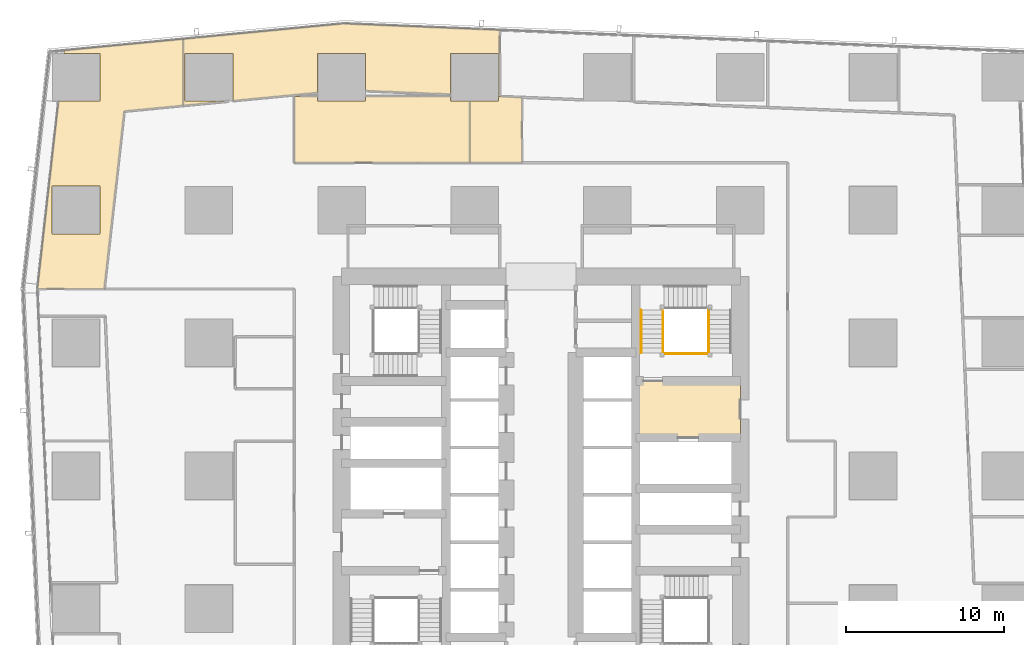
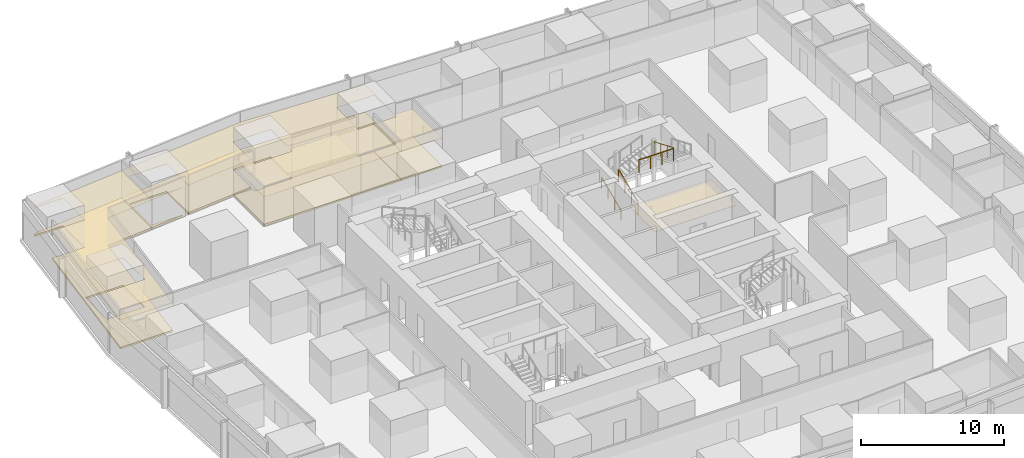
# One storey, part 42 of 44: 9 coverings, 4 railings.
"""IFC4 building model written with IfcOpenShell, lengths in metres."""

from ifc_helpers import new_model, si_unit, direction, frame, origin, origin_2d, place, context, subcontext, project, spatial, polyline, circle, outline, extrude, material, layer, layer_set, type_object, element, save


model = new_model("IFC4")

# Units and contexts
model_context = context("Model", 3, precision=1e-05, world=origin(), true_north=direction((0.0, 1.0)))
body_context = subcontext(model_context, "Body", "Model", "MODEL_VIEW")
ifc_project = project(units=[si_unit("LENGTHUNIT", "METRE"), si_unit("AREAUNIT", "SQUARE_METRE"), si_unit("VOLUMEUNIT", "CUBIC_METRE"), si_unit("PLANEANGLEUNIT", "RADIAN"), si_unit("MASSUNIT", "GRAM", prefix="KILO")], contexts=[model_context])

# Site, building, storey
site_placement = place(None, origin())
site = spatial("IfcSite", under=ifc_project, at=site_placement, CompositionType="ELEMENT")
building_placement = place(site_placement, origin())
building = spatial("IfcBuilding", under=site, at=building_placement, Name="Rekha Terrace Tower", CompositionType="ELEMENT")
storey_placement = place(building_placement, frame((0.0, 0.0, 81.64990234375)))
storey = spatial("IfcBuildingStorey", under=building, at=storey_placement, Name="L20", CompositionType="ELEMENT", Elevation=81.64990234375)

# Coverings
ifc_material_1 = material(Name="Mineral fibre tile in exposed grid", Category="finish")
ifc_layer_1 = layer(ifc_material_1, 0.02001953125)
ifc_layer_set_1 = layer_set([ifc_layer_1], Name="Mineral fibre tile in exposed grid")
covering_type_1 = type_object("IfcCoveringType", Name="CL1 600x1200 office grid ceiling", PredefinedType="CEILING", material=ifc_layer_set_1)
covering_1_placement = place(storey_placement, frame((0.0, 0.0, 2.47998046875)))
element("IfcCovering", 1, at=covering_1_placement, inside=storey, type_object=covering_type_1, Name="Ceiling L20-07", PredefinedType="CEILING", context=body_context, shape_type="SweptSolid", body=[
    extrude(outline(polyline([(25.325927734375, 62.199951171875), (15.177001953125, 61.22412109375), (15.177001953125, 57.0048828125), (17.85205078125, 57.261962890625), (17.85009765625, 57.284912109375), (15.284912109375, 57.284912109375), (15.284912109375, 60.31494140625), (18.31494140625, 60.31494140625), (18.31494140625, 57.306884765625), (23.68505859375, 57.822998046875), (23.68505859375, 60.31494140625), (26.715087890625, 60.31494140625), (26.715087890625, 57.93896484375), (26.906982421875, 57.930908203125), (32.0849609375, 57.717041015625), (32.0849609375, 60.31494140625), (35.114990234375, 60.31494140625), (35.114990234375, 57.592041015625), (35.198974609375, 57.589111328125), (35.198974609375, 61.79296875), (26.909912109375, 62.135009765625), (25.325927734375, 62.199951171875)])), origin(), (0.0, 0.0, 1.0), 0.02001953125),
])
covering_2_placement = place(storey_placement, frame((0.0, 0.0, 2.47998046875)))
element("IfcCovering", 2, at=covering_2_placement, inside=storey, type_object=covering_type_1, Name="Ceiling L20-08", PredefinedType="CEILING", context=body_context, shape_type="SweptSolid", body=[
    extrude(outline(polyline([(9.9150390625, 57.284912109375), (7.294921875, 57.284912109375), (6.701904296875, 52.012939453125), (5.958984375, 45.412109375), (10.18603515625, 45.412109375), (10.927978515625, 52.011962890625), (11.448974609375, 56.64599609375), (15.176025390625, 57.0048828125), (15.176025390625, 61.22412109375), (7.656005859375, 60.5009765625), (7.635009765625, 60.31494140625), (9.9150390625, 60.31494140625), (9.9150390625, 57.284912109375)]), holes=[polyline([(9.9150390625, 51.9150390625), (9.9150390625, 48.885009765625), (6.885009765625, 48.885009765625), (6.885009765625, 51.9150390625), (9.9150390625, 51.9150390625)])]), origin(), (0.0, 0.0, 1.0), 0.02001953125),
])
covering_3_placement = place(storey_placement, frame((0.0, 0.0, 2.47998046875)))
element("IfcCovering", 3, at=covering_3_placement, inside=storey, type_object=covering_type_1, Name="Ceiling L20-09", PredefinedType="CEILING", context=body_context, shape_type="SweptSolid", body=[
    extrude(outline(polyline([(22.199951171875, 53.39990234375), (33.300048828125, 53.39990234375), (33.300048828125, 57.284912109375), (32.0849609375, 57.284912109375), (32.0849609375, 57.589111328125), (26.715087890625, 57.589111328125), (26.715087890625, 57.284912109375), (23.68505859375, 57.284912109375), (23.68505859375, 57.589111328125), (22.199951171875, 57.589111328125), (22.199951171875, 53.39990234375)])), origin(), (0.0, 0.0, 1.0), 0.02001953125),
])
covering_4_placement = place(storey_placement, frame((0.0, 0.0, 2.47998046875)))
element("IfcCovering", 4, at=covering_4_placement, inside=storey, type_object=covering_type_1, Name="Ceiling L20-11", PredefinedType="CEILING", context=body_context, shape_type="SweptSolid", body=[
    extrude(outline(polyline([(36.60009765625, 57.531982421875), (35.208984375, 57.589111328125), (35.114990234375, 57.589111328125), (35.114990234375, 57.284912109375), (33.300048828125, 57.284912109375), (33.300048828125, 53.39990234375), (36.60009765625, 53.39990234375), (36.60009765625, 57.531982421875)])), origin(), (0.0, 0.0, 1.0), 0.02001953125),
])
ifc_material_2 = material(Name="Powder-coated aluminium pan", Category="aluminium")
ifc_layer_2 = layer(ifc_material_2, 0.030029296875)
ifc_layer_set_2 = layer_set([ifc_layer_2], Name="Powder-coated aluminium pan")
covering_type_2 = type_object("IfcCoveringType", Name="CL3 300x1200 metal pan ceiling", PredefinedType="CEILING", material=ifc_layer_set_2)
covering_5_placement = place(storey_placement, frame((0.0, 0.0, 2.47021484375)))
element("IfcCovering", 5, at=covering_5_placement, inside=storey, type_object=covering_type_2, Name="Ceiling L20-FLB2", PredefinedType="CEILING", context=body_context, shape_type="SweptSolid", body=[
    extrude(outline(polyline([(50.39990234375, 39.60009765625), (43.800048828125, 39.60009765625), (43.800048828125, 36.0), (50.39990234375, 36.0), (50.39990234375, 39.60009765625)])), origin(), (0.0, 0.0, 1.0), 0.02978515625),
])

# Railings
ifc_material_3 = material(Name="Stainless steel balustrade", Category="steel")
railing_type_1 = type_object("IfcRailingType", Name="GR1 1100 stair guard", PredefinedType="GUARDRAIL", material=ifc_material_3)
railing_1_placement = place(storey_placement, frame((45.514892578125, 41.375, 0.125)))
element("IfcRailing", 6, at=railing_1_placement, inside=storey, type_object=railing_type_1, Name="Guard ST2 L20 flight 1", PredefinedType="GUARDRAIL", context=body_context, shape_type="SweptSolid", body=[
    extrude(circle(Radius=0.02392578125, at=origin_2d()), frame((0.0, 0.0, 1.076171875), z_axis=(0.0, 0.923074453586, 0.384621311341), x_axis=(-1.0, 0.0, 0.0)), (0.0, 0.0, 1.0), 2.925048828125),
    extrude(circle(Radius=0.02099609375, at=origin_2d()), origin(), (0.0, 0.0, 1.0), 1.052001953125),
    extrude(circle(Radius=0.02099609375, at=origin_2d()), frame((0.0, 0.89990234375, 0.375)), (0.0, 0.0, 1.0), 1.052001953125),
    extrude(circle(Radius=0.02099609375, at=origin_2d()), frame((0.0, 1.800048828125, 0.75)), (0.0, 0.0, 1.0), 1.052001953125),
    extrude(circle(Radius=0.02099609375, at=origin_2d()), frame((0.0, 2.699951171875, 1.125)), (0.0, 0.0, 1.0), 1.052001953125),
])
railing_2_placement = place(storey_placement, frame((48.409912109375, 44.074951171875, 2.625)))
element("IfcRailing", 7, at=railing_2_placement, inside=storey, type_object=railing_type_1, Name="Guard ST2 L20 flight 3", PredefinedType="GUARDRAIL", context=body_context, shape_type="SweptSolid", body=[
    extrude(circle(Radius=0.02392578125, at=origin_2d()), frame((0.0, 0.0, 1.076171875), z_axis=(0.0, -0.923074453586, 0.384621311341), x_axis=(1.0, 0.0, 0.0)), (0.0, 0.0, 1.0), 2.925048828125),
    extrude(circle(Radius=0.02099609375, at=origin_2d()), origin(), (0.0, 0.0, 1.0), 1.052001953125),
    extrude(circle(Radius=0.02099609375, at=origin_2d()), frame((0.0, -0.89990234375, 0.375)), (0.0, 0.0, 1.0), 1.052001953125),
    extrude(circle(Radius=0.02099609375, at=origin_2d()), frame((0.0, -1.800048828125, 0.75)), (0.0, 0.0, 1.0), 1.052001953125),
    extrude(circle(Radius=0.02099609375, at=origin_2d()), frame((0.0, -2.699951171875, 1.125)), (0.0, 0.0, 1.0), 1.052001953125),
])
railing_3_placement = place(storey_placement, frame((45.574951171875, 41.31494140625, 3.75)))
element("IfcRailing", 8, at=railing_3_placement, inside=storey, type_object=railing_type_1, Name="Guard ST2 L20 landing 4", PredefinedType="GUARDRAIL", context=body_context, shape_type="SweptSolid", body=[
    extrude(circle(Radius=0.02392578125, at=origin_2d()), frame((0.0, 0.0, 1.076171875), z_axis=(1.0, 0.0, 0.0), x_axis=(0.0, 1.0, 0.0)), (0.0, 0.0, 1.0), 2.775146484375),
    extrude(circle(Radius=0.02099609375, at=origin_2d()), origin(), (0.0, 0.0, 1.0), 1.052001953125),
    extrude(circle(Radius=0.02099609375, at=origin_2d()), frame((0.925048828125, 0.0, 0.0)), (0.0, 0.0, 1.0), 1.052001953125),
    extrude(circle(Radius=0.02099609375, at=origin_2d()), frame((1.85009765625, 0.0, 0.0)), (0.0, 0.0, 1.0), 1.052001953125),
    extrude(circle(Radius=0.02099609375, at=origin_2d()), frame((2.775146484375, 0.0, 0.0)), (0.0, 0.0, 1.0), 1.052001953125),
])
ifc_material_4 = material(Name="Stainless steel tube", Category="steel")
railing_type_2 = type_object("IfcRailingType", Name="HR1 900 stair handrail", PredefinedType="HANDRAIL", material=ifc_material_4)
railing_4_placement = place(storey_placement, frame((44.135009765625, 41.375, 0.125)))
element("IfcRailing", 9, at=railing_4_placement, inside=storey, type_object=railing_type_2, Name="Handrail ST2 L20 flight 1", PredefinedType="HANDRAIL", context=body_context, shape_type="SweptSolid", body=[
    extrude(circle(Radius=0.02392578125, at=origin_2d()), frame((0.0, 0.0, 0.8759765625), z_axis=(0.0, 0.923074453586, 0.384621311341), x_axis=(-1.0, 0.0, 0.0)), (0.0, 0.0, 1.0), 2.925048828125),
    extrude(circle(Radius=0.02099609375, at=origin_2d()), origin(), (0.0, 0.0, 1.0), 0.851806640625),
    extrude(circle(Radius=0.02099609375, at=origin_2d()), frame((0.0, 0.89990234375, 0.375)), (0.0, 0.0, 1.0), 0.851806640625),
    extrude(circle(Radius=0.02099609375, at=origin_2d()), frame((0.0, 1.800048828125, 0.75)), (0.0, 0.0, 1.0), 0.851806640625),
    extrude(circle(Radius=0.02099609375, at=origin_2d()), frame((0.0, 2.699951171875, 1.125)), (0.0, 0.0, 1.0), 0.851806640625),
])

# Coverings
ifc_material_5 = material(Name="Calcium sulphate panels on steel pedestals", Category="steel")
ifc_layer_3 = layer(ifc_material_5, 0.14990234375)
ifc_layer_set_3 = layer_set([ifc_layer_3], Name="Calcium sulphate panels on steel pedestals")
covering_type_3 = type_object("IfcCoveringType", Name="RF1 150 raised access floor", PredefinedType="FLOORING", material=ifc_layer_set_3)
covering_6_placement = place(storey_placement, origin())
element("IfcCovering", 10, at=covering_6_placement, inside=storey, type_object=covering_type_3, Name="Raised floor L20-07", PredefinedType="FLOORING", context=body_context, shape_type="SweptSolid", body=[
    extrude(outline(polyline([(25.325927734375, 62.199951171875), (15.177001953125, 61.22412109375), (15.177001953125, 57.0048828125), (17.85205078125, 57.261962890625), (17.85009765625, 57.284912109375), (15.284912109375, 57.284912109375), (15.284912109375, 60.31494140625), (18.31494140625, 60.31494140625), (18.31494140625, 57.306884765625), (23.68505859375, 57.822998046875), (23.68505859375, 60.31494140625), (26.715087890625, 60.31494140625), (26.715087890625, 57.93896484375), (26.906982421875, 57.930908203125), (32.0849609375, 57.717041015625), (32.0849609375, 60.31494140625), (35.114990234375, 60.31494140625), (35.114990234375, 57.592041015625), (35.198974609375, 57.589111328125), (35.198974609375, 61.79296875), (26.909912109375, 62.135009765625), (25.325927734375, 62.199951171875)])), origin(), (0.0, 0.0, 1.0), 0.150146484375),
])
covering_7_placement = place(storey_placement, origin())
element("IfcCovering", 11, at=covering_7_placement, inside=storey, type_object=covering_type_3, Name="Raised floor L20-08", PredefinedType="FLOORING", context=body_context, shape_type="SweptSolid", body=[
    extrude(outline(polyline([(9.9150390625, 57.284912109375), (7.294921875, 57.284912109375), (6.701904296875, 52.012939453125), (5.958984375, 45.412109375), (10.18603515625, 45.412109375), (10.927978515625, 52.011962890625), (11.448974609375, 56.64599609375), (15.176025390625, 57.0048828125), (15.176025390625, 61.22412109375), (7.656005859375, 60.5009765625), (7.635009765625, 60.31494140625), (9.9150390625, 60.31494140625), (9.9150390625, 57.284912109375)]), holes=[polyline([(9.9150390625, 51.9150390625), (9.9150390625, 48.885009765625), (6.885009765625, 48.885009765625), (6.885009765625, 51.9150390625), (9.9150390625, 51.9150390625)])]), origin(), (0.0, 0.0, 1.0), 0.150146484375),
])
covering_8_placement = place(storey_placement, origin())
element("IfcCovering", 12, at=covering_8_placement, inside=storey, type_object=covering_type_3, Name="Raised floor L20-09", PredefinedType="FLOORING", context=body_context, shape_type="SweptSolid", body=[
    extrude(outline(polyline([(22.199951171875, 53.39990234375), (33.300048828125, 53.39990234375), (33.300048828125, 57.284912109375), (32.0849609375, 57.284912109375), (32.0849609375, 57.589111328125), (26.715087890625, 57.589111328125), (26.715087890625, 57.284912109375), (23.68505859375, 57.284912109375), (23.68505859375, 57.589111328125), (22.199951171875, 57.589111328125), (22.199951171875, 53.39990234375)])), origin(), (0.0, 0.0, 1.0), 0.150146484375),
])
covering_9_placement = place(storey_placement, origin())
element("IfcCovering", 13, at=covering_9_placement, inside=storey, type_object=covering_type_3, Name="Raised floor L20-11", PredefinedType="FLOORING", context=body_context, shape_type="SweptSolid", body=[
    extrude(outline(polyline([(36.60009765625, 57.531982421875), (35.208984375, 57.589111328125), (35.114990234375, 57.589111328125), (35.114990234375, 57.284912109375), (33.300048828125, 57.284912109375), (33.300048828125, 53.39990234375), (36.60009765625, 53.39990234375), (36.60009765625, 57.531982421875)])), origin(), (0.0, 0.0, 1.0), 0.150146484375),
])

save(model, "model.ifc")
